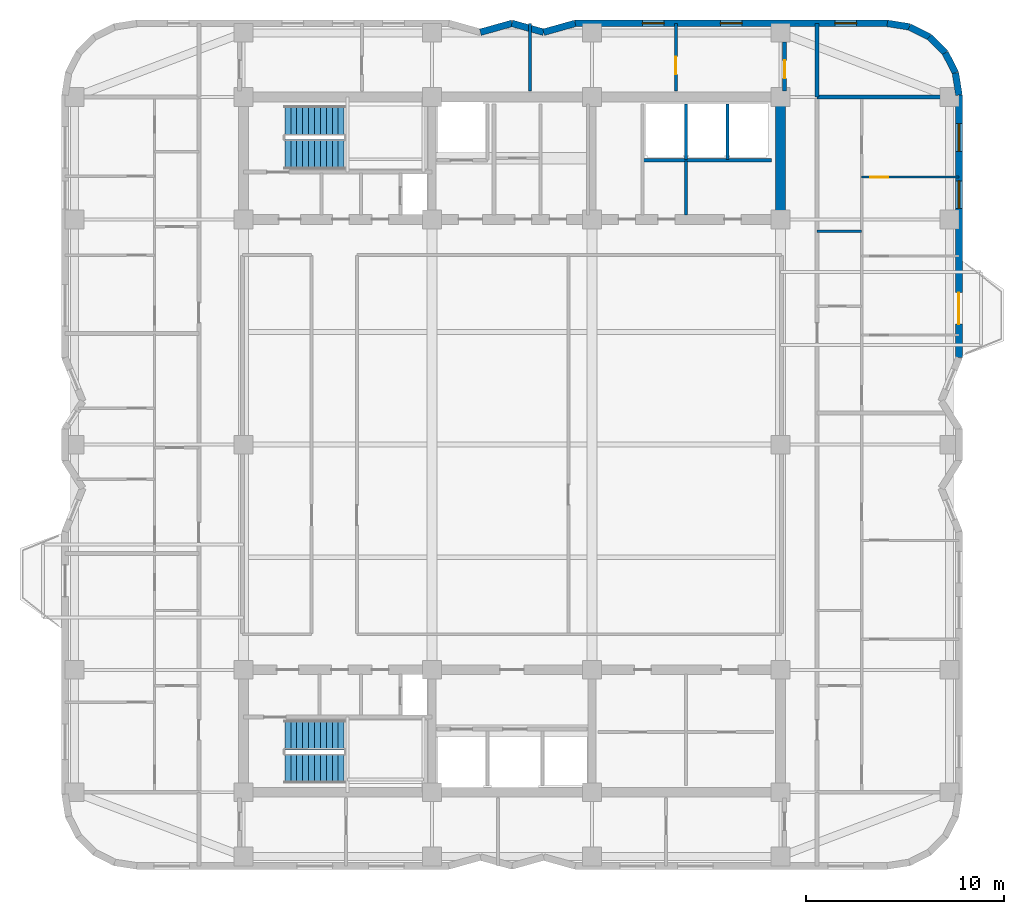
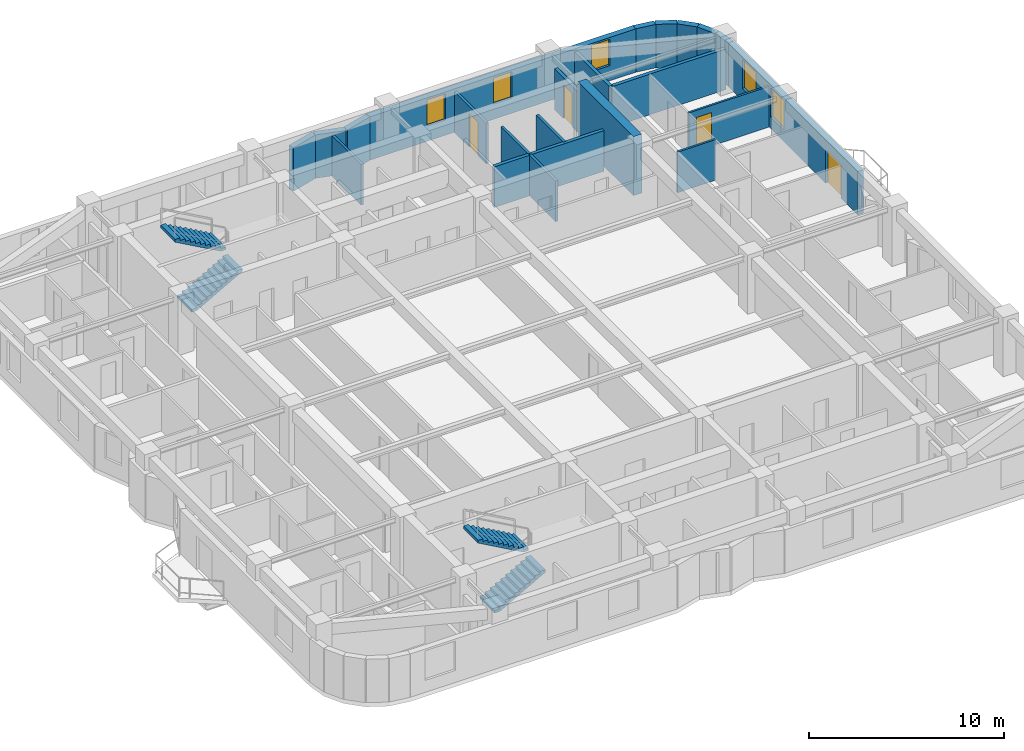
# One storey, part 7 of 9: 22 walls, 5 windows, 4 doors, 4 stair flights, 9 openings, 2 elements without a shape of their own.
"""IFC4 building model written with IfcOpenShell, lengths in metres."""

from ifc_helpers import new_model, si_unit, direction, frame, frame_2d, origin, place, context, subcontext, project, spatial, polyline, rectangle, outline, extrude, material, layer, layer_set, type_object, element, fill, aggregate, save


model = new_model("IFC4")

# Units and contexts
model_context = context("Model", 3, precision=1e-05, world=origin(), true_north=direction((0.0, 1.0)))
body_context = subcontext(model_context, "Body", "Model", "MODEL_VIEW")
ifc_project = project(units=[si_unit("LENGTHUNIT", "METRE"), si_unit("AREAUNIT", "SQUARE_METRE"), si_unit("VOLUMEUNIT", "CUBIC_METRE"), si_unit("PLANEANGLEUNIT", "RADIAN"), si_unit("MASSUNIT", "GRAM", prefix="KILO")], contexts=[model_context])

# Site, building, storey
site_placement = place(None, origin())
site = spatial("IfcSite", under=ifc_project, at=site_placement, CompositionType="ELEMENT")
building_placement = place(site_placement, origin())
building = spatial("IfcBuilding", under=site, at=building_placement, Name="Svetorya Sky Lyceum", CompositionType="ELEMENT")
storey_placement = place(building_placement, frame((0.0, 0.0, 162.60009765625)))
storey = spatial("IfcBuildingStorey", under=building, at=storey_placement, Name="L40", CompositionType="ELEMENT", Elevation=162.60009765625)

# Wall
ifc_material_1 = material(Name="Concrete C50/60", Category="concrete")
ifc_layer_1 = layer(ifc_material_1, 0.5)
ifc_layer_set_1 = layer_set([ifc_layer_1], Name="Concrete C50/60")
wall_type_1 = type_object("IfcWallType", Name="WL-CORE-500", PredefinedType="SHEAR", material=ifc_layer_set_1)
wall_1_placement = place(storey_placement, frame((52.800048828125, 39.85009765625, 0.0), z_axis=(0.0, 0.0, 1.0), x_axis=(0.0, 1.0, 0.0)))
element("IfcWall", 1, at=wall_1_placement, inside=storey, type_object=wall_type_1, Name="L40 NC East Core Shear Wall", PredefinedType="SHEAR", context=body_context, shape_type="SweptSolid", body=[
    extrude(rectangle(XDim=5.699951171875, YDim=0.5, at=frame_2d((2.85009765625, 0.0))), origin(), (0.0, 0.0, 1.0), 3.699951171875),
])

# Wall, openings, door, windows
ifc_material_2 = material(Name="Putilovo limestone rainscreen on autoclaved cellular masonry", Category="masonry")
ifc_layer_2 = layer(ifc_material_2, 0.340087890625)
ifc_layer_set_2 = layer_set([ifc_layer_2], Name="Putilovo limestone rainscreen on autoclaved cellular masonry")
wall_type_2 = type_object("IfcWallType", Name="WL-EXT-340", PredefinedType="SOLIDWALL", material=ifc_layer_set_2)
wall_2_placement = place(storey_placement, frame((61.830078125, 32.60009765625, 0.0), z_axis=(0.0, 0.0, 1.0), x_axis=(0.0, 1.0, 0.0)))
wall_2 = element("IfcWall", 2, at=wall_2_placement, inside=storey, type_object=wall_type_2, Name="L40 Limestone Exterior Wall 23M", PredefinedType="SOLIDWALL", context=body_context, shape_type="SweptSolid", body=[
    extrude(rectangle(XDim=13.2998046875, YDim=0.340087890625, at=frame_2d((6.64990234375, 0.0))), origin(), (0.0, 0.0, 1.0), 2.719970703125),
])
opening_1_placement = place(wall_2_placement, frame((1.699951171875, 0.0, 0.0)))
opening_1 = element("IfcOpeningElement", 3, at=opening_1_placement, cuts=wall_2, Name="Opening D-BL1", PredefinedType="OPENING", context=body_context, shape_type="SweptSolid", body=[
    extrude(rectangle(XDim=1.60009765625, YDim=2.10009765625, at=frame_2d((0.800048828125, 1.050048828125))), frame((0.0, 0.179931640625, 0.0), z_axis=(0.0, -1.0, 0.0), x_axis=(1.0, 0.0, 0.0)), (0.0, 0.0, 1.0), 0.360107421875),
])
opening_2_placement = place(wall_2_placement, frame((7.56005859375, 0.0, 0.7099609375)))
opening_2 = element("IfcOpeningElement", 4, at=opening_2_placement, cuts=wall_2, Name="Opening W-R2", PredefinedType="OPENING", context=body_context, shape_type="SweptSolid", body=[
    extrude(rectangle(XDim=1.39990234375, YDim=1.85009765625, at=frame_2d((0.699951171875, 0.925048828125))), frame((0.0, 0.179931640625, 0.0), z_axis=(0.0, -1.0, 0.0), x_axis=(1.0, 0.0, 0.0)), (0.0, 0.0, 1.0), 0.360107421875),
])
opening_3_placement = place(wall_2_placement, frame((10.449951171875, 0.0, 0.75)))
opening_3 = element("IfcOpeningElement", 5, at=opening_3_placement, cuts=wall_2, Name="Opening W-R2", PredefinedType="OPENING", context=body_context, shape_type="SweptSolid", body=[
    extrude(rectangle(XDim=1.39990234375, YDim=1.85009765625, at=frame_2d((0.699951171875, 0.925048828125))), frame((0.0, 0.179931640625, 0.0), z_axis=(0.0, -1.0, 0.0), x_axis=(1.0, 0.0, 0.0)), (0.0, 0.0, 1.0), 0.360107421875),
])
ifc_material_3 = material(Name="Insulated glazed aluminium balcony door", Category="aluminium")
door_type_1 = type_object("IfcDoorType", Name="DR-BAL-1600", OperationType="DOUBLE_DOOR_SINGLE_SWING", PredefinedType="DOOR", material=ifc_material_3)
door_1_placement = place(opening_1_placement, origin())
door_1 = element("IfcDoor", 6, at=door_1_placement, inside=storey, type_object=door_type_1, Name="L40 Balcony BAL-E1 Door", OperationType="DOUBLE_DOOR_SINGLE_SWING", OverallHeight=2.10009765625, OverallWidth=1.60009765625, PredefinedType="DOOR", context=body_context, shape_type="SweptSolid", body=[
    extrude(rectangle(XDim=1.60009765625, YDim=2.10009765625, at=frame_2d((0.800048828125, 1.050048828125))), frame((0.0, 0.02490234375, 0.0), z_axis=(0.0, -1.0, 0.0), x_axis=(1.0, 0.0, 0.0)), (0.0, 0.0, 1.0), 0.050048828125),
])
fill(opening_1, door_1)
ifc_material_4 = material(Name="Thermally broken aluminium frame with triple low-E glazing", Category="aluminium")
window_type_1 = type_object("IfcWindowType", Name="WN-RES-140", PartitioningType="SINGLE_PANEL", PredefinedType="WINDOW", material=ifc_material_4)
window_1_placement = place(opening_2_placement, origin())
window_1 = element("IfcWindow", 7, at=window_1_placement, inside=storey, type_object=window_type_1, Name="L40 Facade Window W-R2.23M.2", OverallHeight=1.85009765625, OverallWidth=1.39990234375, PartitioningType="SINGLE_PANEL", PredefinedType="WINDOW", context=body_context, shape_type="SweptSolid", body=[
    extrude(rectangle(XDim=1.39990234375, YDim=1.85009765625, at=frame_2d((0.699951171875, 0.925048828125))), frame((0.0, 0.030029296875, 0.0), z_axis=(0.0, -1.0, 0.0), x_axis=(1.0, 0.0, 0.0)), (0.0, 0.0, 1.0), 0.06005859375),
])
fill(opening_2, window_1)
window_2_placement = place(opening_3_placement, origin())
window_2 = element("IfcWindow", 8, at=window_2_placement, inside=storey, type_object=window_type_1, Name="L40 Facade Window W-R2.23M.1", OverallHeight=1.85009765625, OverallWidth=1.39990234375, PartitioningType="SINGLE_PANEL", PredefinedType="WINDOW", context=body_context, shape_type="SweptSolid", body=[
    extrude(rectangle(XDim=1.39990234375, YDim=1.85009765625, at=frame_2d((0.699951171875, 0.925048828125))), frame((0.0, 0.030029296875, 0.0), z_axis=(0.0, -1.0, 0.0), x_axis=(1.0, 0.0, 0.0)), (0.0, 0.0, 1.0), 0.06005859375),
])
fill(opening_3, window_2)

# Walls
for number, where, z_axis, x_axis, name in (
    (9, (61.830078125, 45.89990234375, 0.0), (0.0, 0.0, 1.0), (-0.156481329164, 0.987680916907, 0.0), "L40 Limestone Exterior Wall 24M"),
    (10, (61.65234375, 47.021728515625, 0.0), (0.0, 0.0, 1.0), (-0.453993402883, 0.891005044957, 0.0), "L40 Limestone Exterior Wall 25M"),
):
    element("IfcWall", number, at=place(storey_placement, frame(where, z_axis=z_axis, x_axis=x_axis)), inside=storey, type_object=wall_type_2, Name=name, PredefinedType="SOLIDWALL", context=body_context, shape_type="SweptSolid", body=[
        extrude(rectangle(XDim=1.1357421875, YDim=0.340087890625, at=frame_2d((0.56787109375, 0.0))), origin(), (0.0, 0.0, 1.0), 2.719970703125),
    ])
wall_3_placement = place(storey_placement, frame((61.13671875, 48.03369140625, 0.0), z_axis=(0.0, 0.0, 1.0), x_axis=(-0.707106781187, 0.707106781187, 0.0)))
element("IfcWall", 11, at=wall_3_placement, inside=storey, type_object=wall_type_2, Name="L40 Limestone Exterior Wall 26M", PredefinedType="SOLIDWALL", context=body_context, shape_type="SweptSolid", body=[
    extrude(rectangle(XDim=1.135498046875, YDim=0.340087890625, at=frame_2d((0.56787109375, 0.0))), origin(), (0.0, 0.0, 1.0), 2.719970703125),
])
for number, where, z_axis, x_axis, name in (
    (12, (60.333740234375, 48.836669921875, 0.0), (0.0, 0.0, 1.0), (-0.891005044957, 0.453993402883, 0.0), "L40 Limestone Exterior Wall 27M"),
    (13, (59.32177734375, 49.352294921875, 0.0), (0.0, 0.0, 1.0), (-0.987680916907, 0.156481329164, 0.0), "L40 Limestone Exterior Wall 28M"),
):
    element("IfcWall", number, at=place(storey_placement, frame(where, z_axis=z_axis, x_axis=x_axis)), inside=storey, type_object=wall_type_2, Name=name, PredefinedType="SOLIDWALL", context=body_context, shape_type="SweptSolid", body=[
        extrude(rectangle(XDim=1.1357421875, YDim=0.340087890625, at=frame_2d((0.56787109375, 0.0))), origin(), (0.0, 0.0, 1.0), 2.719970703125),
    ])

# Wall, openings, windows
wall_4_placement = place(storey_placement, frame((58.199951171875, 49.530029296875, 0.0), z_axis=(0.0, 0.0, 1.0), x_axis=(-1.0, 0.0, 0.0)))
wall_4 = element("IfcWall", 14, at=wall_4_placement, inside=storey, type_object=wall_type_2, Name="L40 Limestone Exterior Wall 29M", PredefinedType="SOLIDWALL", context=body_context, shape_type="SweptSolid", body=[
    extrude(rectangle(XDim=15.800048828125, YDim=0.340087890625, at=frame_2d((7.89990234375, 0.0))), origin(), (0.0, 0.0, 1.0), 2.719970703125),
])
opening_4_placement = place(wall_4_placement, frame((1.550048828125, 0.0, 0.949951171875)))
opening_4 = element("IfcOpeningElement", 15, at=opening_4_placement, cuts=wall_4, Name="Opening W-R3", PredefinedType="OPENING", context=body_context, shape_type="SweptSolid", body=[
    extrude(rectangle(XDim=1.10009765625, YDim=1.64990234375, at=frame_2d((0.550048828125, 0.824951171875))), frame((0.0, 0.179931640625, 0.0), z_axis=(0.0, -1.0, 0.0), x_axis=(1.0, 0.0, 0.0)), (0.0, 0.0, 1.0), 0.360107421875),
])
opening_5_placement = place(wall_4_placement, frame((7.35009765625, 0.0, 0.949951171875)))
opening_5 = element("IfcOpeningElement", 16, at=opening_5_placement, cuts=wall_4, Name="Opening W-R3", PredefinedType="OPENING", context=body_context, shape_type="SweptSolid", body=[
    extrude(rectangle(XDim=1.10009765625, YDim=1.64990234375, at=frame_2d((0.550048828125, 0.824951171875))), frame((0.0, 0.179931640625, 0.0), z_axis=(0.0, -1.0, 0.0), x_axis=(1.0, 0.0, 0.0)), (0.0, 0.0, 1.0), 0.360107421875),
])
opening_6_placement = place(wall_4_placement, frame((11.300048828125, 0.0, 0.949951171875)))
opening_6 = element("IfcOpeningElement", 17, at=opening_6_placement, cuts=wall_4, Name="Opening W-R3", PredefinedType="OPENING", context=body_context, shape_type="SweptSolid", body=[
    extrude(rectangle(XDim=1.10009765625, YDim=1.64990234375, at=frame_2d((0.550048828125, 0.824951171875))), frame((0.0, 0.179931640625, 0.0), z_axis=(0.0, -1.0, 0.0), x_axis=(1.0, 0.0, 0.0)), (0.0, 0.0, 1.0), 0.360107421875),
])
window_type_2 = type_object("IfcWindowType", Name="WN-RES-110", PartitioningType="SINGLE_PANEL", PredefinedType="WINDOW", material=ifc_material_4)
window_3_placement = place(opening_4_placement, origin())
window_3 = element("IfcWindow", 18, at=window_3_placement, inside=storey, type_object=window_type_2, Name="L40 Facade Window W-R3.29M.1", OverallHeight=1.64990234375, OverallWidth=1.10009765625, PartitioningType="SINGLE_PANEL", PredefinedType="WINDOW", context=body_context, shape_type="SweptSolid", body=[
    extrude(rectangle(XDim=1.10009765625, YDim=1.64990234375, at=frame_2d((0.550048828125, 0.824951171875))), frame((0.0, 0.030029296875, 0.0), z_axis=(0.0, -1.0, 0.0), x_axis=(1.0, 0.0, 0.0)), (0.0, 0.0, 1.0), 0.06005859375),
])
fill(opening_4, window_3)
window_4_placement = place(opening_5_placement, origin())
window_4 = element("IfcWindow", 19, at=window_4_placement, inside=storey, type_object=window_type_2, Name="L40 Facade Window W-R3.29M.2", OverallHeight=1.64990234375, OverallWidth=1.10009765625, PartitioningType="SINGLE_PANEL", PredefinedType="WINDOW", context=body_context, shape_type="SweptSolid", body=[
    extrude(rectangle(XDim=1.10009765625, YDim=1.64990234375, at=frame_2d((0.550048828125, 0.824951171875))), frame((0.0, 0.030029296875, 0.0), z_axis=(0.0, -1.0, 0.0), x_axis=(1.0, 0.0, 0.0)), (0.0, 0.0, 1.0), 0.06005859375),
])
fill(opening_5, window_4)
window_5_placement = place(opening_6_placement, origin())
window_5 = element("IfcWindow", 20, at=window_5_placement, inside=storey, type_object=window_type_2, Name="L40 Facade Window W-R3.29M.3", OverallHeight=1.64990234375, OverallWidth=1.10009765625, PartitioningType="SINGLE_PANEL", PredefinedType="WINDOW", context=body_context, shape_type="SweptSolid", body=[
    extrude(rectangle(XDim=1.10009765625, YDim=1.64990234375, at=frame_2d((0.550048828125, 0.824951171875))), frame((0.0, 0.030029296875, 0.0), z_axis=(0.0, -1.0, 0.0), x_axis=(1.0, 0.0, 0.0)), (0.0, 0.0, 1.0), 0.06005859375),
])
fill(opening_6, window_5)

# Walls
wall_5_placement = place(storey_placement, frame((42.39990234375, 49.530029296875, 0.0), z_axis=(0.0, 0.0, 1.0), x_axis=(-0.962652136636, -0.270741322725, 0.0)))
element("IfcWall", 21, at=wall_5_placement, inside=storey, type_object=wall_type_2, Name="L40 Limestone Exterior Wall 30M", PredefinedType="SOLIDWALL", context=body_context, shape_type="SweptSolid", body=[
    extrude(rectangle(XDim=1.661865234375, YDim=0.340087890625, at=frame_2d((0.8310546875, 0.0))), origin(), (0.0, 0.0, 1.0), 2.719970703125),
])
wall_6_placement = place(storey_placement, frame((40.800048828125, 49.080078125, 0.0), z_axis=(0.0, 0.0, 1.0), x_axis=(-0.962662902433, 0.270703040766, 0.0)))
element("IfcWall", 22, at=wall_6_placement, inside=storey, type_object=wall_type_2, Name="L40 Limestone Exterior Wall 31M", PredefinedType="SOLIDWALL", context=body_context, shape_type="SweptSolid", body=[
    extrude(rectangle(XDim=1.662109375, YDim=0.340087890625, at=frame_2d((0.8310546875, 0.0))), origin(), (0.0, 0.0, 1.0), 2.719970703125),
])
wall_7_placement = place(storey_placement, frame((39.199951171875, 49.530029296875, 0.0), z_axis=(0.0, 0.0, 1.0), x_axis=(-0.962652136636, -0.270741322725, 0.0)))
element("IfcWall", 23, at=wall_7_placement, inside=storey, type_object=wall_type_2, Name="L40 Limestone Exterior Wall 32M", PredefinedType="SOLIDWALL", context=body_context, shape_type="SweptSolid", body=[
    extrude(rectangle(XDim=1.661865234375, YDim=0.340087890625, at=frame_2d((0.8310546875, 0.0))), origin(), (0.0, 0.0, 1.0), 2.719970703125),
])
ifc_material_5 = material(Name="Twin-stud galvanized framing with double fireboard", Category="gypsum")
ifc_layer_3 = layer(ifc_material_5, 0.1201171875)
ifc_layer_set_3 = layer_set([ifc_layer_3], Name="Twin-stud galvanized framing with double fireboard")
wall_type_3 = type_object("IfcWallType", Name="WL-PART-120", PredefinedType="PARTITIONING", material=ifc_layer_set_3)
wall_8_placement = place(storey_placement, frame((54.64990234375, 39.0, 0.0), z_axis=(0.0, 0.0, 1.0), x_axis=(1.0, 0.0, 0.0)))
element("IfcWall", 24, at=wall_8_placement, inside=storey, type_object=wall_type_3, Name="L40 Interior Partition E2-WH2", PredefinedType="PARTITIONING", context=body_context, shape_type="SweptSolid", body=[
    extrude(rectangle(XDim=2.25, YDim=0.1201171875, at=frame_2d((1.125, 0.0))), origin(), (0.0, 0.0, 1.0), 2.5498046875),
])

# Wall, opening, door
wall_9_placement = place(storey_placement, frame((56.89990234375, 41.75, 0.0), z_axis=(0.0, 0.0, 1.0), x_axis=(1.0, 0.0, 0.0)))
wall_9 = element("IfcWall", 25, at=wall_9_placement, inside=storey, type_object=wall_type_3, Name="L40 Interior Partition E2-WL3", PredefinedType="PARTITIONING", context=body_context, shape_type="SweptSolid", body=[
    extrude(rectangle(XDim=4.93017578125, YDim=0.1201171875, at=frame_2d((2.465087890625, 0.0))), origin(), (0.0, 0.0, 1.0), 2.5498046875),
])
opening_7_placement = place(wall_9_placement, frame((0.449951171875, 0.0, 0.0)))
opening_7 = element("IfcOpeningElement", 26, at=opening_7_placement, cuts=wall_9, Name="Opening D-RM1", PredefinedType="OPENING", context=body_context, shape_type="SweptSolid", body=[
    extrude(rectangle(XDim=0.89990234375, YDim=2.10009765625, at=frame_2d((0.449951171875, 1.050048828125))), frame((0.0, 0.070068359375, 0.0), z_axis=(0.0, -1.0, 0.0), x_axis=(1.0, 0.0, 0.0)), (0.0, 0.0, 1.0), 0.14013671875),
])
ifc_material_6 = material(Name="Lacquered birch veneer internal door")
door_type_2 = type_object("IfcDoorType", Name="DR-INT-900", OperationType="SINGLE_SWING_LEFT", PredefinedType="DOOR", material=ifc_material_6)
door_2_placement = place(opening_7_placement, origin())
door_2 = element("IfcDoor", 27, at=door_2_placement, inside=storey, type_object=door_type_2, Name="Apartment E2 Bedroom 3 Door", OperationType="SINGLE_SWING_LEFT", OverallHeight=2.10009765625, OverallWidth=0.89990234375, PredefinedType="DOOR", context=body_context, shape_type="SweptSolid", body=[
    extrude(rectangle(XDim=0.89990234375, YDim=2.10009765625, at=frame_2d((0.449951171875, 1.050048828125))), frame((0.0, 0.02490234375, 0.0), z_axis=(0.0, -1.0, 0.0), x_axis=(1.0, 0.0, 0.0)), (0.0, 0.0, 1.0), 0.050048828125),
])
fill(opening_7, door_2)

# Walls
ifc_material_7 = material(Name="Autoclaved cellular masonry blockwork with acoustic render", Category="masonry")
ifc_layer_4 = layer(ifc_material_7, 0.14990234375)
ifc_layer_set_4 = layer_set([ifc_layer_4], Name="Autoclaved cellular masonry blockwork with acoustic render")
wall_type_4 = type_object("IfcWallType", Name="WL-PART-150", PredefinedType="PARTITIONING", material=ifc_layer_set_4)
for number, where, z_axis, x_axis, name in (
    (28, (48.0, 42.64990234375, 0.0), (0.0, 0.0, 1.0), (0.0, 1.0, 0.0), "L40 Interior Partition NC-PH-D1"),
    (29, (50.10009765625, 42.64990234375, 0.0), (0.0, 0.0, 1.0), (0.0, 1.0, 0.0), "L40 Interior Partition NC-PH-D2"),
):
    element("IfcWall", number, at=place(storey_placement, frame(where, z_axis=z_axis, x_axis=x_axis)), inside=storey, type_object=wall_type_4, Name=name, PredefinedType="PARTITIONING", context=body_context, shape_type="SweptSolid", body=[
        extrude(rectangle(XDim=2.800048828125, YDim=0.14990234375, at=frame_2d((1.39990234375, 0.0))), origin(), (0.0, 0.0, 1.0), 2.5498046875),
    ])
wall_10_placement = place(storey_placement, frame((48.0, 39.820068359375, 0.0), z_axis=(0.0, 0.0, 1.0), x_axis=(0.0, 1.0, 0.0)))
element("IfcWall", 30, at=wall_10_placement, inside=storey, type_object=wall_type_4, Name="L40 Interior Partition NC-ED1", PredefinedType="PARTITIONING", context=body_context, shape_type="SweptSolid", body=[
    extrude(rectangle(XDim=2.72998046875, YDim=0.14990234375, at=frame_2d((1.364990234375, 0.0))), origin(), (0.0, 0.0, 1.0), 2.5498046875),
])
wall_11_placement = place(storey_placement, frame((40.10009765625, 46.10009765625, 0.0), z_axis=(0.0, 0.0, 1.0), x_axis=(0.0, 1.0, 0.0)))
element("IfcWall", 31, at=wall_11_placement, inside=storey, type_object=wall_type_4, Name="L40 Interior Partition N4-D2", PredefinedType="PARTITIONING", context=body_context, shape_type="SweptSolid", body=[
    extrude(rectangle(XDim=3.429931640625, YDim=0.14990234375, at=frame_2d((1.71484375, 0.0))), origin(), (0.0, 0.0, 1.0), 2.5498046875),
])

# Wall, opening, door
wall_12_placement = place(storey_placement, frame((47.5, 46.10009765625, 0.0), z_axis=(0.0, 0.0, 1.0), x_axis=(0.0, 1.0, 0.0)))
wall_12 = element("IfcWall", 32, at=wall_12_placement, inside=storey, type_object=wall_type_4, Name="L40 Interior Partition N4-D3", PredefinedType="PARTITIONING", context=body_context, shape_type="SweptSolid", body=[
    extrude(rectangle(XDim=3.429931640625, YDim=0.14990234375, at=frame_2d((1.71484375, 0.0))), origin(), (0.0, 0.0, 1.0), 2.5498046875),
])
opening_8_placement = place(wall_12_placement, frame((0.85009765625, 0.0, 0.0)))
opening_8 = element("IfcOpeningElement", 33, at=opening_8_placement, cuts=wall_12, Name="Opening D-RM1", PredefinedType="OPENING", context=body_context, shape_type="SweptSolid", body=[
    extrude(rectangle(XDim=0.89990234375, YDim=2.10009765625, at=frame_2d((0.449951171875, 1.050048828125))), frame((0.0, 0.0849609375, 0.0), z_axis=(0.0, -1.0, 0.0), x_axis=(1.0, 0.0, 0.0)), (0.0, 0.0, 1.0), 0.169921875),
])
door_3_placement = place(opening_8_placement, origin())
door_3 = element("IfcDoor", 34, at=door_3_placement, inside=storey, type_object=door_type_2, Name="L40 North Suite Door 3", OperationType="SINGLE_SWING_RIGHT", OverallHeight=2.10009765625, OverallWidth=0.89990234375, PredefinedType="DOOR", context=body_context, shape_type="SweptSolid", body=[
    extrude(rectangle(XDim=0.89990234375, YDim=2.10009765625, at=frame_2d((0.449951171875, 1.050048828125))), frame((0.0, 0.02490234375, 0.0), z_axis=(0.0, -1.0, 0.0), x_axis=(1.0, 0.0, 0.0)), (0.0, 0.0, 1.0), 0.050048828125),
])
fill(opening_8, door_3)

# Walls
ifc_material_8 = material(Name="Autoclaved cellular masonry blockwork with gypsum plaster", Category="masonry")
ifc_layer_5 = layer(ifc_material_8, 0.199951171875)
ifc_layer_set_5 = layer_set([ifc_layer_5], Name="Autoclaved cellular masonry blockwork with gypsum plaster")
wall_type_5 = type_object("IfcWallType", Name="WL-PART-200", PredefinedType="PARTITIONING", material=ifc_layer_set_5)
wall_13_placement = place(storey_placement, frame((52.35009765625, 42.60009765625, 0.0), z_axis=(0.0, 0.0, 1.0), x_axis=(-1.0, 0.0, 0.0)))
element("IfcWall", 35, at=wall_13_placement, inside=storey, type_object=wall_type_5, Name="L40 Interior Partition NC-PHEW", PredefinedType="PARTITIONING", context=body_context, shape_type="SweptSolid", body=[
    extrude(rectangle(XDim=6.5, YDim=0.199951171875, at=frame_2d((3.25, 0.0))), origin(), (0.0, 0.0, 1.0), 2.5498046875),
])
wall_14_placement = place(storey_placement, frame((54.64990234375, 45.800048828125, 0.0), z_axis=(0.0, 0.0, 1.0), x_axis=(1.0, 0.0, 0.0)))
element("IfcWall", 36, at=wall_14_placement, inside=storey, type_object=wall_type_5, Name="L40 Interior Partition E-CAP-N", PredefinedType="PARTITIONING", context=body_context, shape_type="SweptSolid", body=[
    extrude(rectangle(XDim=6.760009765625, YDim=0.199951171875, at=frame_2d((3.3798828125, 0.0))), origin(), (0.0, 0.0, 1.0), 2.5498046875),
])
wall_15_placement = place(storey_placement, frame((54.64990234375, 45.800048828125, 0.0), z_axis=(0.0, 0.0, 1.0), x_axis=(0.0, 1.0, 0.0)))
element("IfcWall", 37, at=wall_15_placement, inside=storey, type_object=wall_type_5, Name="L40 Interior Partition EC-NE-END", PredefinedType="PARTITIONING", context=body_context, shape_type="SweptSolid", body=[
    extrude(rectangle(XDim=3.72998046875, YDim=0.199951171875, at=frame_2d((1.864990234375, 0.0))), origin(), (0.0, 0.0, 1.0), 2.5498046875),
])

# Wall, opening, door
wall_16_placement = place(storey_placement, frame((53.0, 46.10009765625, 0.0), z_axis=(0.0, 0.0, 1.0), x_axis=(0.0, 1.0, 0.0)))
wall_16 = element("IfcWall", 38, at=wall_16_placement, inside=storey, type_object=wall_type_5, Name="L40 Interior Partition N4-EE", PredefinedType="PARTITIONING", context=body_context, shape_type="SweptSolid", body=[
    extrude(rectangle(XDim=2.47998046875, YDim=0.199951171875, at=frame_2d((1.239990234375, 0.0))), origin(), (0.0, 0.0, 1.0), 2.5498046875),
])
opening_9_placement = place(wall_16_placement, frame((0.64990234375, 0.0, 0.0)))
opening_9 = element("IfcOpeningElement", 39, at=opening_9_placement, cuts=wall_16, Name="Opening D-RM1", PredefinedType="OPENING", context=body_context, shape_type="SweptSolid", body=[
    extrude(rectangle(XDim=0.89990234375, YDim=2.10009765625, at=frame_2d((0.449951171875, 1.050048828125))), frame((0.0, 0.10986328125, 0.0), z_axis=(0.0, -1.0, 0.0), x_axis=(1.0, 0.0, 0.0)), (0.0, 0.0, 1.0), 0.219970703125),
])
door_4_placement = place(opening_9_placement, origin())
door_4 = element("IfcDoor", 40, at=door_4_placement, inside=storey, type_object=door_type_2, Name="L40 NE Office Door", OperationType="SINGLE_SWING_LEFT", OverallHeight=2.10009765625, OverallWidth=0.89990234375, PredefinedType="DOOR", context=body_context, shape_type="SweptSolid", body=[
    extrude(rectangle(XDim=0.89990234375, YDim=2.10009765625, at=frame_2d((0.449951171875, 1.050048828125))), frame((0.0, 0.02490234375, 0.0), z_axis=(0.0, -1.0, 0.0), x_axis=(1.0, 0.0, 0.0)), (0.0, 0.0, 1.0), 0.050048828125),
])
fill(opening_9, door_4)

# Stair, stair flights
ifc_material_9 = material(Name="Concrete C40/50", Category="concrete")
stair_type_1 = type_object("IfcStairType", Name="STR-ST-N", PredefinedType="HALF_TURN_STAIR", material=ifc_material_9)
stair_1_placement = place(storey_placement, origin())
stair_1 = element("IfcStair", 41, at=stair_1_placement, inside=storey, type_object=stair_type_1, Name="L40 North Core Smoke-Free Exit Stair N3", PredefinedType="HALF_TURN_STAIR")
stair_flight_type_1 = type_object("IfcStairFlightType", Name="SFL-ST-N", PredefinedType="STRAIGHT", material=ifc_material_9)
stair_flight_1_placement = place(storey_placement, frame((27.699951171875, 42.89990234375, 0.0), z_axis=(0.0, 0.0, 1.0), x_axis=(1.0, 0.0, 0.0)))
stair_flight_1 = element("IfcStairFlight", 42, at=stair_flight_1_placement, type_object=stair_flight_type_1, Name="ST-N flight 1", NumberOfRisers=11, NumberOfTreads=10, PredefinedType="STRAIGHT", RiserHeight=0.168181818, TreadLength=0.3, context=body_context, shape_type="SweptSolid", body=[
    extrude(outline(polyline([(0.0, 0.0), (0.0, 0.168212890625), (0.300048828125, 0.168212890625), (0.300048828125, 0.33642578125), (0.60009765625, 0.33642578125), (0.60009765625, 0.504638671875), (0.89990234375, 0.504638671875), (0.89990234375, 0.672607421875), (1.199951171875, 0.672607421875), (1.199951171875, 0.8408203125), (1.5, 0.8408203125), (1.5, 1.009033203125), (1.800048828125, 1.009033203125), (1.800048828125, 1.17724609375), (2.10009765625, 1.17724609375), (2.10009765625, 1.345458984375), (2.39990234375, 1.345458984375), (2.39990234375, 1.513671875), (2.699951171875, 1.513671875), (2.699951171875, 1.681884765625), (3.0, 1.681884765625), (3.0, 1.85009765625), (3.0, 1.510009765625), (0.306640625, 0.0), (0.0, 0.0)])), frame((0.0, 0.75, 0.0), z_axis=(0.0, -1.0, 0.0), x_axis=(1.0, 0.0, 0.0)), (0.0, 0.0, 1.0), 1.5),
])
stair_flight_2_placement = place(storey_placement, frame((30.699951171875, 44.60009765625, 1.849853515625), z_axis=(0.0, 0.0, 1.0), x_axis=(-1.0, 0.0, 0.0)))
stair_flight_2 = element("IfcStairFlight", 43, at=stair_flight_2_placement, type_object=stair_flight_type_1, Name="ST-N flight 2", NumberOfRisers=11, NumberOfTreads=10, PredefinedType="STRAIGHT", RiserHeight=0.168181818, TreadLength=0.3, context=body_context, shape_type="SweptSolid", body=[
    extrude(outline(polyline([(0.0, 0.0), (0.0, 0.168212890625), (0.300048828125, 0.168212890625), (0.300048828125, 0.33642578125), (0.60009765625, 0.33642578125), (0.60009765625, 0.504638671875), (0.89990234375, 0.504638671875), (0.89990234375, 0.672607421875), (1.199951171875, 0.672607421875), (1.199951171875, 0.8408203125), (1.5, 0.8408203125), (1.5, 1.009033203125), (1.800048828125, 1.009033203125), (1.800048828125, 1.17724609375), (2.10009765625, 1.17724609375), (2.10009765625, 1.345458984375), (2.39990234375, 1.345458984375), (2.39990234375, 1.513671875), (2.699951171875, 1.513671875), (2.699951171875, 1.681884765625), (3.0, 1.681884765625), (3.0, 1.85009765625), (3.0, 1.510009765625), (0.306640625, 0.0), (0.0, 0.0)])), frame((0.0, 0.75, 0.0), z_axis=(0.0, -1.0, 0.0), x_axis=(1.0, 0.0, 0.0)), (0.0, 0.0, 1.0), 1.5),
])
aggregate(stair_1, [stair_flight_1, stair_flight_2])

stair_type_2 = type_object("IfcStairType", Name="STR-ST-S", PredefinedType="HALF_TURN_STAIR", material=ifc_material_9)
stair_2_placement = place(storey_placement, origin())
stair_2 = element("IfcStair", 44, at=stair_2_placement, inside=storey, type_object=stair_type_2, Name="L40 South Core Smoke-Free Exit Stair N2", PredefinedType="HALF_TURN_STAIR")
stair_flight_type_2 = type_object("IfcStairFlightType", Name="SFL-ST-S", PredefinedType="STRAIGHT", material=ifc_material_9)
stair_flight_3_placement = place(storey_placement, frame((27.699951171875, 11.800048828125, 0.0), z_axis=(0.0, 0.0, 1.0), x_axis=(1.0, 0.0, 0.0)))
stair_flight_3 = element("IfcStairFlight", 45, at=stair_flight_3_placement, type_object=stair_flight_type_2, Name="ST-S flight 1", NumberOfRisers=11, NumberOfTreads=10, PredefinedType="STRAIGHT", RiserHeight=0.168181818, TreadLength=0.3, context=body_context, shape_type="SweptSolid", body=[
    extrude(outline(polyline([(0.0, 0.0), (0.0, 0.168212890625), (0.300048828125, 0.168212890625), (0.300048828125, 0.33642578125), (0.60009765625, 0.33642578125), (0.60009765625, 0.504638671875), (0.89990234375, 0.504638671875), (0.89990234375, 0.672607421875), (1.199951171875, 0.672607421875), (1.199951171875, 0.8408203125), (1.5, 0.8408203125), (1.5, 1.009033203125), (1.800048828125, 1.009033203125), (1.800048828125, 1.17724609375), (2.10009765625, 1.17724609375), (2.10009765625, 1.345458984375), (2.39990234375, 1.345458984375), (2.39990234375, 1.513671875), (2.699951171875, 1.513671875), (2.699951171875, 1.681884765625), (3.0, 1.681884765625), (3.0, 1.85009765625), (3.0, 1.510009765625), (0.306640625, 0.0), (0.0, 0.0)])), frame((0.0, 0.75, 0.0), z_axis=(0.0, -1.0, 0.0), x_axis=(1.0, 0.0, 0.0)), (0.0, 0.0, 1.0), 1.5),
])
stair_flight_4_placement = place(storey_placement, frame((30.699951171875, 13.5, 1.849853515625), z_axis=(0.0, 0.0, 1.0), x_axis=(-1.0, 0.0, 0.0)))
stair_flight_4 = element("IfcStairFlight", 46, at=stair_flight_4_placement, type_object=stair_flight_type_2, Name="ST-S flight 2", NumberOfRisers=11, NumberOfTreads=10, PredefinedType="STRAIGHT", RiserHeight=0.168181818, TreadLength=0.3, context=body_context, shape_type="SweptSolid", body=[
    extrude(outline(polyline([(0.0, 0.0), (0.0, 0.168212890625), (0.300048828125, 0.168212890625), (0.300048828125, 0.33642578125), (0.60009765625, 0.33642578125), (0.60009765625, 0.504638671875), (0.89990234375, 0.504638671875), (0.89990234375, 0.672607421875), (1.199951171875, 0.672607421875), (1.199951171875, 0.8408203125), (1.5, 0.8408203125), (1.5, 1.009033203125), (1.800048828125, 1.009033203125), (1.800048828125, 1.17724609375), (2.10009765625, 1.17724609375), (2.10009765625, 1.345458984375), (2.39990234375, 1.345458984375), (2.39990234375, 1.513671875), (2.699951171875, 1.513671875), (2.699951171875, 1.681884765625), (3.0, 1.681884765625), (3.0, 1.85009765625), (3.0, 1.510009765625), (0.306640625, 0.0), (0.0, 0.0)])), frame((0.0, 0.75, 0.0), z_axis=(0.0, -1.0, 0.0), x_axis=(1.0, 0.0, 0.0)), (0.0, 0.0, 1.0), 1.5),
])
aggregate(stair_2, [stair_flight_3, stair_flight_4])

save(model, "model.ifc")
